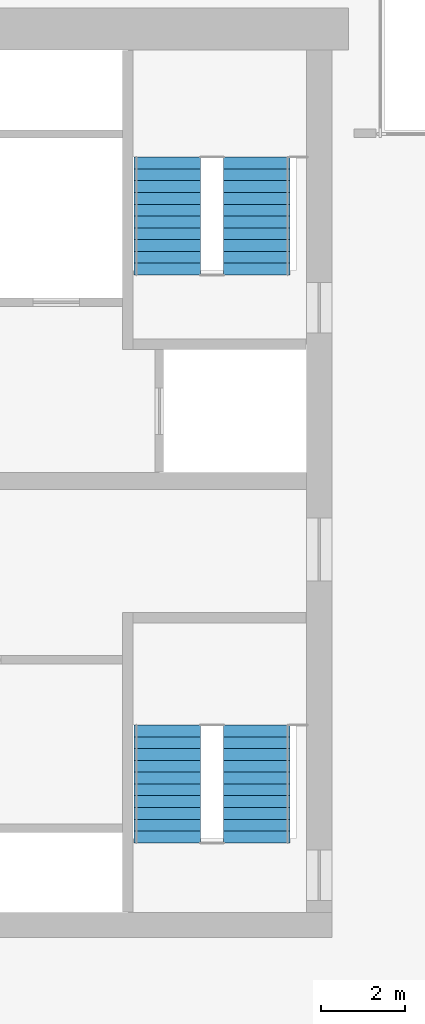
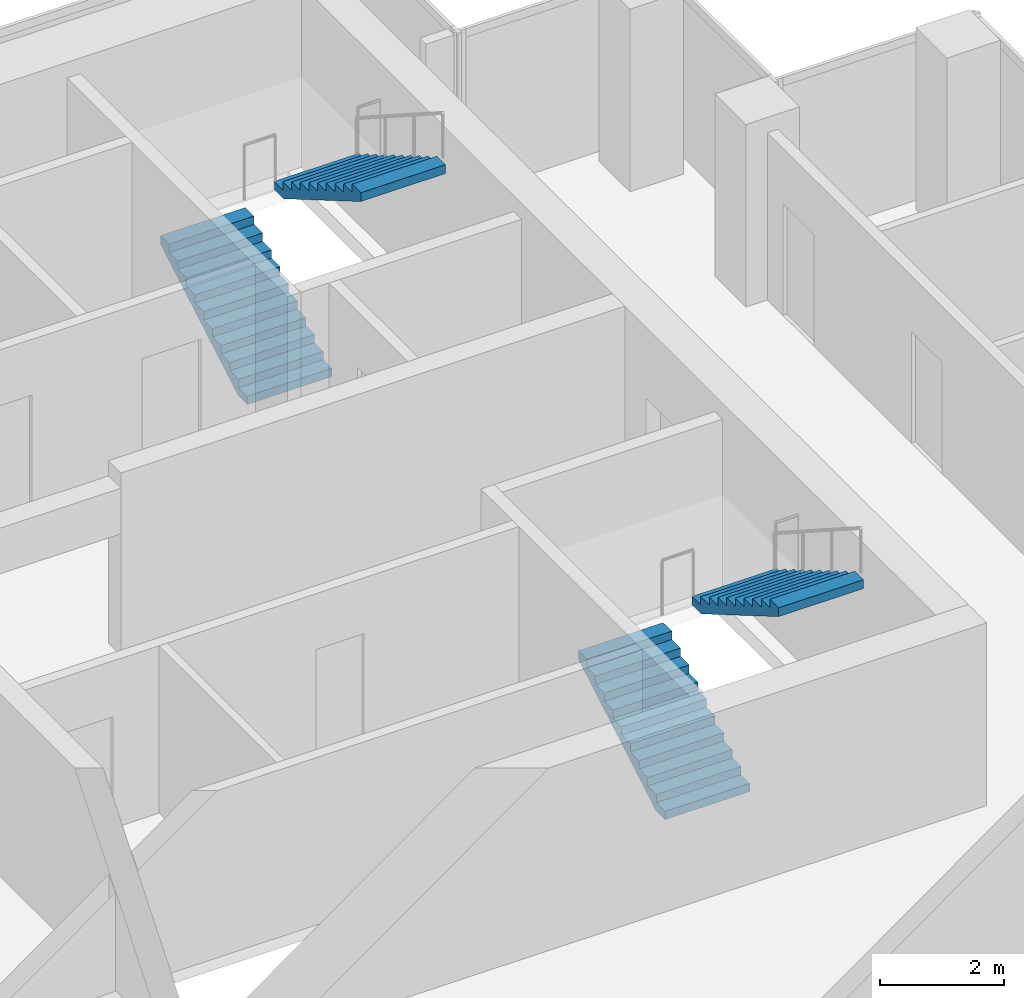
# One storey, part 11 of 12: 4 stair flights, 2 elements without a shape of their own.
"""IFC4 building model written with IfcOpenShell, lengths in metres."""

from ifc_helpers import new_model, si_unit, direction, frame, origin, place, context, subcontext, project, spatial, polyline, outline, extrude, material, type_object, element, aggregate, save


model = new_model("IFC4")

# Units and contexts
model_context = context("Model", 3, precision=1e-05, world=origin(), true_north=direction((0.0, 1.0)))
body_context = subcontext(model_context, "Body", "Model", "MODEL_VIEW")
ifc_project = project(units=[si_unit("LENGTHUNIT", "METRE"), si_unit("AREAUNIT", "SQUARE_METRE"), si_unit("VOLUMEUNIT", "CUBIC_METRE"), si_unit("PLANEANGLEUNIT", "RADIAN"), si_unit("MASSUNIT", "GRAM", prefix="KILO")], contexts=[model_context])

# Site, building, storey
site_placement = place(None, origin())
site = spatial("IfcSite", under=ifc_project, at=site_placement, CompositionType="ELEMENT")
building_placement = place(site_placement, origin())
building = spatial("IfcBuilding", under=site, at=building_placement, Name="Pilkhan Gate Tower", CompositionType="ELEMENT")
storey_placement = place(building_placement, frame((0.0, 0.0, 188.699951171875)))
storey = spatial("IfcBuildingStorey", under=building, at=storey_placement, Name="L48", CompositionType="ELEMENT", Elevation=188.699951171875)

# Stair, stair flights
ifc_material = material(Name="Concrete C40/50 precast", Category="concrete")
stair_type_1 = type_object("IfcStairType", Name="Stair ST1 164x280", PredefinedType="HALF_TURN_STAIR", material=ifc_material)
stair_1_placement = place(storey_placement, origin())
stair_1 = element("IfcStair", 1, at=stair_1_placement, inside=storey, type_object=stair_type_1, Name="Stair ST1 L48", PredefinedType="HALF_TURN_STAIR")
stair_flight_type_1 = type_object("IfcStairFlightType", Name="Stair flight ST1 164x280x11", PredefinedType="STRAIGHT", material=ifc_material)
stair_flight_1_placement = place(storey_placement, frame((85.68994140625, 73.89990234375, 0.0), z_axis=(0.0, 0.0, 1.0), x_axis=(0.0, 1.0, 0.0)))
stair_flight_1 = element("IfcStairFlight", 2, at=stair_flight_1_placement, type_object=stair_flight_type_1, Name="ST1 flight 1", NumberOfRisers=11, NumberOfTreads=10, PredefinedType="STRAIGHT", RiserHeight=0.163636364, TreadLength=0.28, context=body_context, shape_type="SweptSolid", body=[
    extrude(outline(polyline([(0.0, 0.0), (0.0, 0.16357421875), (0.280029296875, 0.16357421875), (0.280029296875, 0.327392578125), (0.56005859375, 0.327392578125), (0.56005859375, 0.490966796875), (0.840087890625, 0.490966796875), (0.840087890625, 0.654541015625), (1.1201171875, 0.654541015625), (1.1201171875, 0.818115234375), (1.39990234375, 0.818115234375), (1.39990234375, 0.98193359375), (1.679931640625, 0.98193359375), (1.679931640625, 1.1455078125), (1.9599609375, 1.1455078125), (1.9599609375, 1.30908203125), (2.239990234375, 1.30908203125), (2.239990234375, 1.47265625), (2.52001953125, 1.47265625), (2.52001953125, 1.636474609375), (2.800048828125, 1.636474609375), (2.800048828125, 1.800048828125), (2.800048828125, 1.462646484375), (0.297119140625, 0.0), (0.0, 0.0)])), frame((0.0, 0.7900390625, 0.0), z_axis=(0.0, -1.0, 0.0), x_axis=(1.0, 0.0, 0.0)), (0.0, 0.0, 1.0), 1.580078125),
])
stair_flight_2_placement = place(storey_placement, frame((87.81005859375, 76.699951171875, 1.800048828125), z_axis=(0.0, 0.0, 1.0), x_axis=(0.0, -1.0, 0.0)))
stair_flight_2 = element("IfcStairFlight", 3, at=stair_flight_2_placement, type_object=stair_flight_type_1, Name="ST1 flight 2", NumberOfRisers=11, NumberOfTreads=10, PredefinedType="STRAIGHT", RiserHeight=0.163636364, TreadLength=0.28, context=body_context, shape_type="SweptSolid", body=[
    extrude(outline(polyline([(0.0, 0.0), (0.0, 0.16357421875), (0.280029296875, 0.16357421875), (0.280029296875, 0.327392578125), (0.56005859375, 0.327392578125), (0.56005859375, 0.490966796875), (0.840087890625, 0.490966796875), (0.840087890625, 0.654541015625), (1.1201171875, 0.654541015625), (1.1201171875, 0.818115234375), (1.39990234375, 0.818115234375), (1.39990234375, 0.98193359375), (1.679931640625, 0.98193359375), (1.679931640625, 1.1455078125), (1.9599609375, 1.1455078125), (1.9599609375, 1.30908203125), (2.239990234375, 1.30908203125), (2.239990234375, 1.47265625), (2.52001953125, 1.47265625), (2.52001953125, 1.636474609375), (2.800048828125, 1.636474609375), (2.800048828125, 1.800048828125), (2.800048828125, 1.462646484375), (0.297119140625, 0.0), (0.0, 0.0)])), frame((0.0, 0.7900390625, 0.0), z_axis=(0.0, -1.0, 0.0), x_axis=(1.0, 0.0, 0.0)), (0.0, 0.0, 1.0), 1.580078125),
])
aggregate(stair_1, [stair_flight_1, stair_flight_2])

stair_type_2 = type_object("IfcStairType", Name="Stair ST4 164x280", PredefinedType="HALF_TURN_STAIR", material=ifc_material)
stair_2_placement = place(storey_placement, origin())
stair_2 = element("IfcStair", 4, at=stair_2_placement, inside=storey, type_object=stair_type_2, Name="Stair ST4 L48", PredefinedType="HALF_TURN_STAIR")
stair_flight_type_2 = type_object("IfcStairFlightType", Name="Stair flight ST4 164x280x11", PredefinedType="STRAIGHT", material=ifc_material)
stair_flight_3_placement = place(storey_placement, frame((85.68994140625, 87.39990234375, 0.0), z_axis=(0.0, 0.0, 1.0), x_axis=(0.0, 1.0, 0.0)))
stair_flight_3 = element("IfcStairFlight", 5, at=stair_flight_3_placement, type_object=stair_flight_type_2, Name="ST4 flight 1", NumberOfRisers=11, NumberOfTreads=10, PredefinedType="STRAIGHT", RiserHeight=0.163636364, TreadLength=0.28, context=body_context, shape_type="SweptSolid", body=[
    extrude(outline(polyline([(0.0, 0.0), (0.0, 0.16357421875), (0.280029296875, 0.16357421875), (0.280029296875, 0.327392578125), (0.56005859375, 0.327392578125), (0.56005859375, 0.490966796875), (0.840087890625, 0.490966796875), (0.840087890625, 0.654541015625), (1.1201171875, 0.654541015625), (1.1201171875, 0.818115234375), (1.39990234375, 0.818115234375), (1.39990234375, 0.98193359375), (1.679931640625, 0.98193359375), (1.679931640625, 1.1455078125), (1.9599609375, 1.1455078125), (1.9599609375, 1.30908203125), (2.239990234375, 1.30908203125), (2.239990234375, 1.47265625), (2.52001953125, 1.47265625), (2.52001953125, 1.636474609375), (2.800048828125, 1.636474609375), (2.800048828125, 1.800048828125), (2.800048828125, 1.462646484375), (0.297119140625, 0.0), (0.0, 0.0)])), frame((0.0, 0.7900390625, 0.0), z_axis=(0.0, -1.0, 0.0), x_axis=(1.0, 0.0, 0.0)), (0.0, 0.0, 1.0), 1.580078125),
])
stair_flight_4_placement = place(storey_placement, frame((87.81005859375, 90.199951171875, 1.800048828125), z_axis=(0.0, 0.0, 1.0), x_axis=(0.0, -1.0, 0.0)))
stair_flight_4 = element("IfcStairFlight", 6, at=stair_flight_4_placement, type_object=stair_flight_type_2, Name="ST4 flight 2", NumberOfRisers=11, NumberOfTreads=10, PredefinedType="STRAIGHT", RiserHeight=0.163636364, TreadLength=0.28, context=body_context, shape_type="SweptSolid", body=[
    extrude(outline(polyline([(0.0, 0.0), (0.0, 0.16357421875), (0.280029296875, 0.16357421875), (0.280029296875, 0.327392578125), (0.56005859375, 0.327392578125), (0.56005859375, 0.490966796875), (0.840087890625, 0.490966796875), (0.840087890625, 0.654541015625), (1.1201171875, 0.654541015625), (1.1201171875, 0.818115234375), (1.39990234375, 0.818115234375), (1.39990234375, 0.98193359375), (1.679931640625, 0.98193359375), (1.679931640625, 1.1455078125), (1.9599609375, 1.1455078125), (1.9599609375, 1.30908203125), (2.239990234375, 1.30908203125), (2.239990234375, 1.47265625), (2.52001953125, 1.47265625), (2.52001953125, 1.636474609375), (2.800048828125, 1.636474609375), (2.800048828125, 1.800048828125), (2.800048828125, 1.462646484375), (0.297119140625, 0.0), (0.0, 0.0)])), frame((0.0, 0.7900390625, 0.0), z_axis=(0.0, -1.0, 0.0), x_axis=(1.0, 0.0, 0.0)), (0.0, 0.0, 1.0), 1.580078125),
])
aggregate(stair_2, [stair_flight_3, stair_flight_4])

save(model, "model.ifc")
